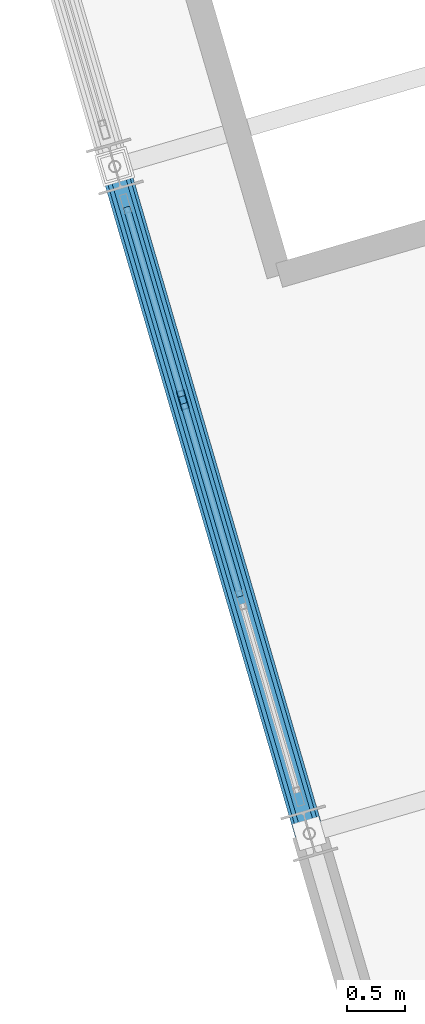
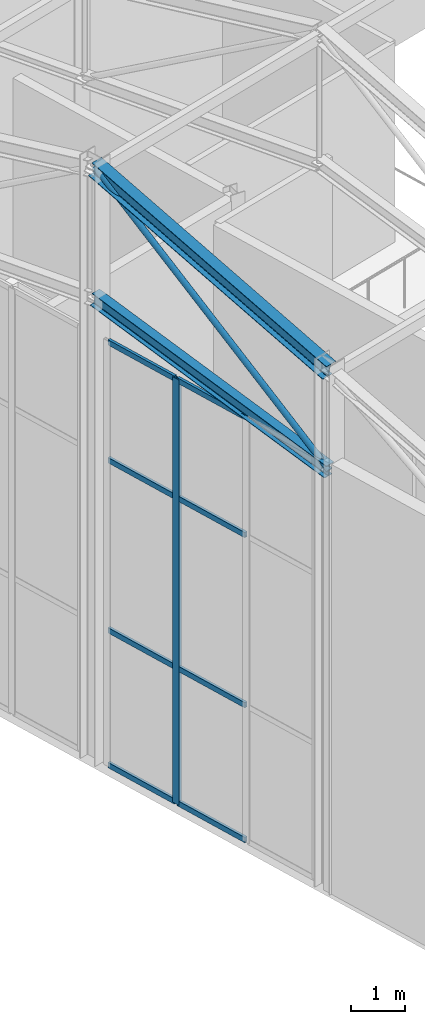
# One storey, part 138 of 248: 12 members, 1 element without a shape of its own.
"""IFC4 building model written with IfcOpenShell, lengths in metres."""

from ifc_helpers import new_model, si_unit, direction, frame, origin, origin_2d, place, context, subcontext, project, spatial, hollow_rectangle, hollow_circle, i_section, extrude, material, layer, layer_set, material_profile, profile_set, type_object, element, aggregate, save


model = new_model("IFC4")

# Units and contexts
model_context = context("Model", 3, precision=1e-05, world=origin(), true_north=direction((0.0, 1.0)))
body_context = subcontext(model_context, "Body", "Model", "MODEL_VIEW")
ifc_project = project(units=[si_unit("LENGTHUNIT", "METRE"), si_unit("AREAUNIT", "SQUARE_METRE"), si_unit("VOLUMEUNIT", "CUBIC_METRE"), si_unit("PLANEANGLEUNIT", "RADIAN"), si_unit("MASSUNIT", "GRAM", prefix="KILO")], contexts=[model_context])

# Site, building, storey
site_placement = place(None, origin())
site = spatial("IfcSite", under=ifc_project, at=site_placement, CompositionType="ELEMENT")
building_placement = place(site_placement, origin())
building = spatial("IfcBuilding", under=site, at=building_placement, Name="Canggui Botanical Conservatory", CompositionType="ELEMENT")
storey_placement = place(building_placement, frame((0.0, 0.0, 5.39990234375)))
storey = spatial("IfcBuildingStorey", under=building, at=storey_placement, Name="L02", CompositionType="ELEMENT", Elevation=5.39990234375)

# Curtain wall, members
ifc_material_1 = material(Name="Thermally Broken Aluminium", Category="aluminium")
ifc_layer = layer(ifc_material_1, 0.1650390625, Name="Thermally Broken Aluminium", Category="aluminium")
ifc_layer_set = layer_set([ifc_layer], Name="Thermally Broken Aluminium")
curtain_wall_type = type_object("IfcCurtainWallType", Name="CW-UNIT-B", PredefinedType="USERDEFINED", material=ifc_layer_set)
curtain_wall_placement = place(storey_placement, origin())
curtain_wall = element("IfcCurtainWall", 1, at=curtain_wall_placement, inside=storey, type_object=curtain_wall_type, Name="Facade Curtain Wall CW-AUD-FOYER-L02-1", ObjectType="UNITISED CURTAIN WALL", PredefinedType="USERDEFINED")
ifc_material_profile_1 = material_profile(ifc_material_1, hollow_rectangle(XDim=0.06494140625, YDim=0.1650390625, WallThickness=0.00390625, at=origin_2d()), Name="CWM 65x165x4")
ifc_profile_set_1 = profile_set([ifc_material_profile_1], Name="Thermally Broken Aluminium")
member_type_1 = type_object("IfcMemberType", Name="CWM-02", PredefinedType="MULLION", material=ifc_profile_set_1)
member_1_placement = place(storey_placement, frame((63.22802734375, 99.50390625, 0.0), z_axis=(0.0, 0.0, 1.0), x_axis=(-0.960000000002, -0.279999999995, 0.0)))
member_1 = element("IfcMember", 2, at=member_1_placement, type_object=member_type_1, Name="CW-02 mullion 3", PredefinedType="MULLION", context=body_context, shape_type="SweptSolid", body=[
    extrude(hollow_rectangle(XDim=0.06494140625, YDim=0.1650390625, WallThickness=0.00390625, at=origin_2d()), origin(), (0.0, 0.0, 1.0), 9.60009765625),
])
ifc_material_profile_2 = material_profile(ifc_material_1, hollow_rectangle(XDim=0.06005859375, YDim=0.1201171875, WallThickness=0.00341796875, at=origin_2d()), Name="CWT 60x120x3.5")
ifc_profile_set_2 = profile_set([ifc_material_profile_2], Name="Thermally Broken Aluminium")
member_type_2 = type_object("IfcMemberType", Name="CWT-02", PredefinedType="USERDEFINED", material=ifc_profile_set_2)
member_2_placement = place(storey_placement, frame((63.722900390625, 97.80712890625, 0.030029296875), z_axis=(-0.279994597085, 0.960001575834, 0.0), x_axis=(-0.960001575834, -0.279994597085, 0.0)))
member_2 = element("IfcMember", 3, at=member_2_placement, type_object=member_type_2, Name="CW-02 transom 2.1", ObjectType="TRANSOM", PredefinedType="USERDEFINED", context=body_context, shape_type="SweptSolid", body=[
    extrude(hollow_rectangle(XDim=0.06005859375, YDim=0.1201171875, WallThickness=0.00341796875, at=origin_2d()), origin(), (0.0, 0.0, 1.0), 1.735107421875),
])
member_3_placement = place(storey_placement, frame((63.722900390625, 97.80712890625, 3.072021484375), z_axis=(-0.279994597085, 0.960001575834, 0.0), x_axis=(-0.960001575834, -0.279994597085, 0.0)))
member_3 = element("IfcMember", 4, at=member_3_placement, type_object=member_type_2, Name="CW-02 transom 2.2", ObjectType="TRANSOM", PredefinedType="USERDEFINED", context=body_context, shape_type="SweptSolid", body=[
    extrude(hollow_rectangle(XDim=0.06005859375, YDim=0.1201171875, WallThickness=0.00341796875, at=origin_2d()), origin(), (0.0, 0.0, 1.0), 1.735107421875),
])
member_4_placement = place(storey_placement, frame((63.722900390625, 97.80712890625, 6.912109375), z_axis=(-0.279994597085, 0.960001575834, 0.0), x_axis=(-0.960001575834, -0.279994597085, 0.0)))
member_4 = element("IfcMember", 5, at=member_4_placement, type_object=member_type_2, Name="CW-02 transom 2.3", ObjectType="TRANSOM", PredefinedType="USERDEFINED", context=body_context, shape_type="SweptSolid", body=[
    extrude(hollow_rectangle(XDim=0.06005859375, YDim=0.1201171875, WallThickness=0.00341796875, at=origin_2d()), origin(), (0.0, 0.0, 1.0), 1.735107421875),
])
member_5_placement = place(storey_placement, frame((63.722900390625, 97.80712890625, 9.570068359375), z_axis=(-0.279994597085, 0.960001575834, 0.0), x_axis=(-0.960001575834, -0.279994597085, 0.0)))
member_5 = element("IfcMember", 6, at=member_5_placement, type_object=member_type_2, Name="CW-02 transom 2.4", ObjectType="TRANSOM", PredefinedType="USERDEFINED", context=body_context, shape_type="SweptSolid", body=[
    extrude(hollow_rectangle(XDim=0.06005859375, YDim=0.1201171875, WallThickness=0.00341796875, at=origin_2d()), origin(), (0.0, 0.0, 1.0), 1.735107421875),
])
member_6_placement = place(storey_placement, frame((63.218994140625, 99.53515625, 0.030029296875), z_axis=(-0.280038542714, 0.959988757536, 0.0), x_axis=(-0.959988757536, -0.280038542714, 0.0)))
member_6 = element("IfcMember", 7, at=member_6_placement, type_object=member_type_2, Name="CW-02 transom 3.1", ObjectType="TRANSOM", PredefinedType="USERDEFINED", context=body_context, shape_type="SweptSolid", body=[
    extrude(hollow_rectangle(XDim=0.06005859375, YDim=0.1201171875, WallThickness=0.00341796875, at=origin_2d()), origin(), (0.0, 0.0, 1.0), 1.70263671875),
])
member_7_placement = place(storey_placement, frame((63.218994140625, 99.53515625, 3.072021484375), z_axis=(-0.280038542714, 0.959988757536, 0.0), x_axis=(-0.959988757536, -0.280038542714, 0.0)))
member_7 = element("IfcMember", 8, at=member_7_placement, type_object=member_type_2, Name="CW-02 transom 3.2", ObjectType="TRANSOM", PredefinedType="USERDEFINED", context=body_context, shape_type="SweptSolid", body=[
    extrude(hollow_rectangle(XDim=0.06005859375, YDim=0.1201171875, WallThickness=0.00341796875, at=origin_2d()), origin(), (0.0, 0.0, 1.0), 1.70263671875),
])
member_8_placement = place(storey_placement, frame((63.218994140625, 99.53515625, 6.912109375), z_axis=(-0.280038542714, 0.959988757536, 0.0), x_axis=(-0.959988757536, -0.280038542714, 0.0)))
member_8 = element("IfcMember", 9, at=member_8_placement, type_object=member_type_2, Name="CW-02 transom 3.3", ObjectType="TRANSOM", PredefinedType="USERDEFINED", context=body_context, shape_type="SweptSolid", body=[
    extrude(hollow_rectangle(XDim=0.06005859375, YDim=0.1201171875, WallThickness=0.00341796875, at=origin_2d()), origin(), (0.0, 0.0, 1.0), 1.70263671875),
])
member_9_placement = place(storey_placement, frame((63.218994140625, 99.53515625, 9.570068359375), z_axis=(-0.280038542714, 0.959988757536, 0.0), x_axis=(-0.959988757536, -0.280038542714, 0.0)))
member_9 = element("IfcMember", 10, at=member_9_placement, type_object=member_type_2, Name="CW-02 transom 3.4", ObjectType="TRANSOM", PredefinedType="USERDEFINED", context=body_context, shape_type="SweptSolid", body=[
    extrude(hollow_rectangle(XDim=0.06005859375, YDim=0.1201171875, WallThickness=0.00341796875, at=origin_2d()), origin(), (0.0, 0.0, 1.0), 1.70263671875),
])
aggregate(curtain_wall, [member_1, member_2, member_3, member_4, member_5, member_6, member_7, member_8, member_9])

# Members
ifc_material_2 = material(Name="Steel Q355B", Category="steel")
ifc_material_profile_3 = material_profile(ifc_material_2, i_section(OverallWidth=0.25, OverallDepth=0.35009765625, WebThickness=0.009033203125, FlangeThickness=0.013916015625, FilletRadius=0.02001953125, at=origin_2d()), Name="HM 350x250x9x14")
ifc_profile_set_3 = profile_set([ifc_material_profile_3], Name="Steel Q355B")
member_type_3 = type_object("IfcMemberType", Name="MEM-TC03", PredefinedType="CHORD", material=ifc_profile_set_3)
member_10_placement = place(storey_placement, frame((64.320068359375, 95.760009765625, 11.650146484375), z_axis=(-0.269421810075, 0.923636844681, 0.27259286015), x_axis=(-0.959992252312, -0.280026562133, 0.0)))
element("IfcMember", 11, at=member_10_placement, inside=storey, type_object=member_type_3, Name="Auditorium Truss AT-01 Top Chord 2", PredefinedType="CHORD", context=body_context, shape_type="SweptSolid", body=[
    extrude(i_section(OverallWidth=0.25, OverallDepth=0.35009765625, WebThickness=0.009033203125, FlangeThickness=0.013916015625, FilletRadius=0.02001953125, at=origin_2d()), origin(), (0.0, 0.0, 1.0), 6.236328125),
])
ifc_material_profile_4 = material_profile(ifc_material_2, i_section(OverallWidth=0.199951171875, OverallDepth=0.300048828125, WebThickness=0.008056640625, FlangeThickness=0.011962890625, FilletRadius=0.01806640625, at=origin_2d()), Name="HM 300x200x8x12")
ifc_profile_set_4 = profile_set([ifc_material_profile_4], Name="Steel Q355B")
member_type_4 = type_object("IfcMemberType", Name="MEM-TC04", PredefinedType="CHORD", material=ifc_profile_set_4)
member_11_placement = place(storey_placement, frame((64.320068359375, 95.760009765625, 9.400146484375), z_axis=(-0.276216572305, 0.946930774542, 0.164397425191), x_axis=(-0.959992252312, -0.280026562133, 0.0)))
element("IfcMember", 12, at=member_11_placement, inside=storey, type_object=member_type_4, Name="Auditorium Truss AT-01 Bottom Chord 2", PredefinedType="CHORD", context=body_context, shape_type="SweptSolid", body=[
    extrude(i_section(OverallWidth=0.199951171875, OverallDepth=0.300048828125, WebThickness=0.008056640625, FlangeThickness=0.011962890625, FilletRadius=0.01806640625, at=origin_2d()), origin(), (0.0, 0.0, 1.0), 6.082763671875),
])
ifc_material_profile_5 = material_profile(ifc_material_2, hollow_circle(Radius=0.0634765625, WallThickness=0.006103515625, at=origin_2d()), Name="CHS 127x6")
ifc_profile_set_5 = profile_set([ifc_material_profile_5], Name="Steel Q355B")
member_type_5 = type_object("IfcMemberType", Name="MEM-TW02", PredefinedType="BRACE", material=ifc_profile_set_5)
member_12_placement = place(storey_placement, frame((64.320068359375, 95.760009765625, 9.400146484375), z_axis=(-0.233893424927, 0.80183777598, 0.549863662), x_axis=(-0.959992252312, -0.280026562133, 0.0)))
element("IfcMember", 13, at=member_12_placement, inside=storey, type_object=member_type_5, Name="Auditorium Truss AT-01 Web Diagonal 2", PredefinedType="BRACE", context=body_context, shape_type="SweptSolid", body=[
    extrude(hollow_circle(Radius=0.0634765625, WallThickness=0.006103515625, at=origin_2d()), origin(), (0.0, 0.0, 1.0), 7.18359375),
])

save(model, "model.ifc")
